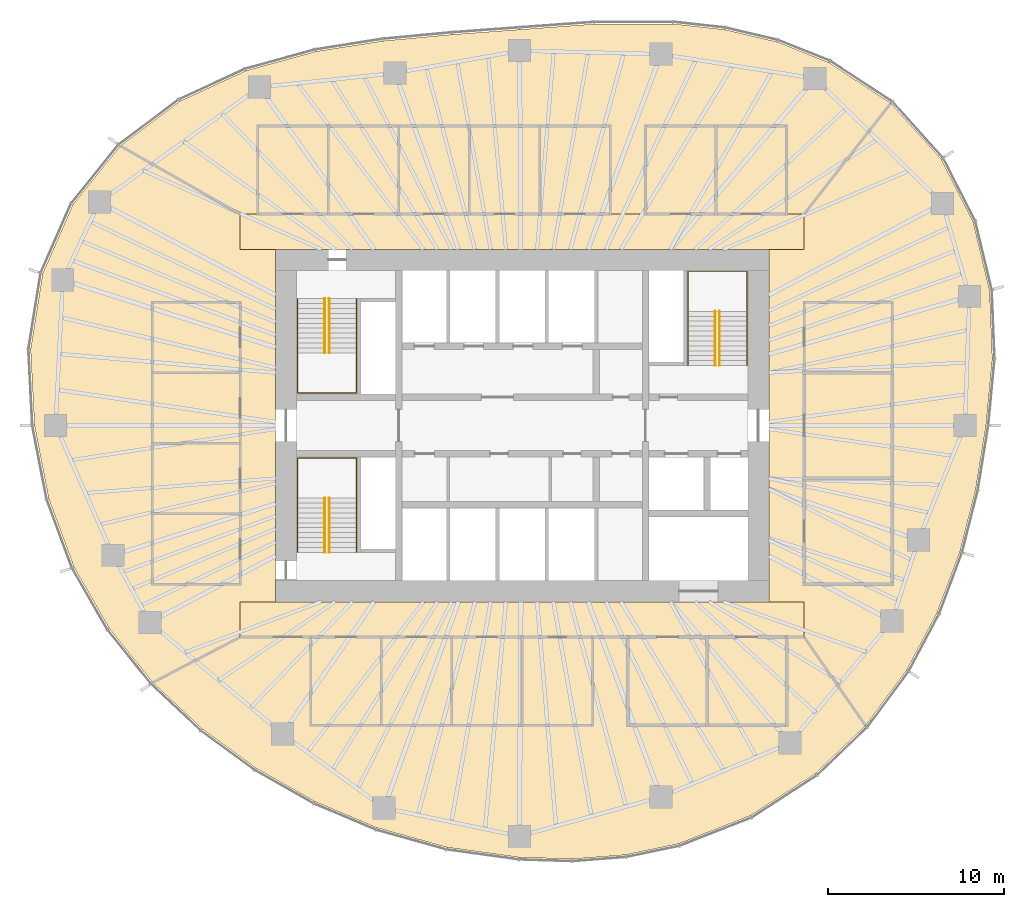
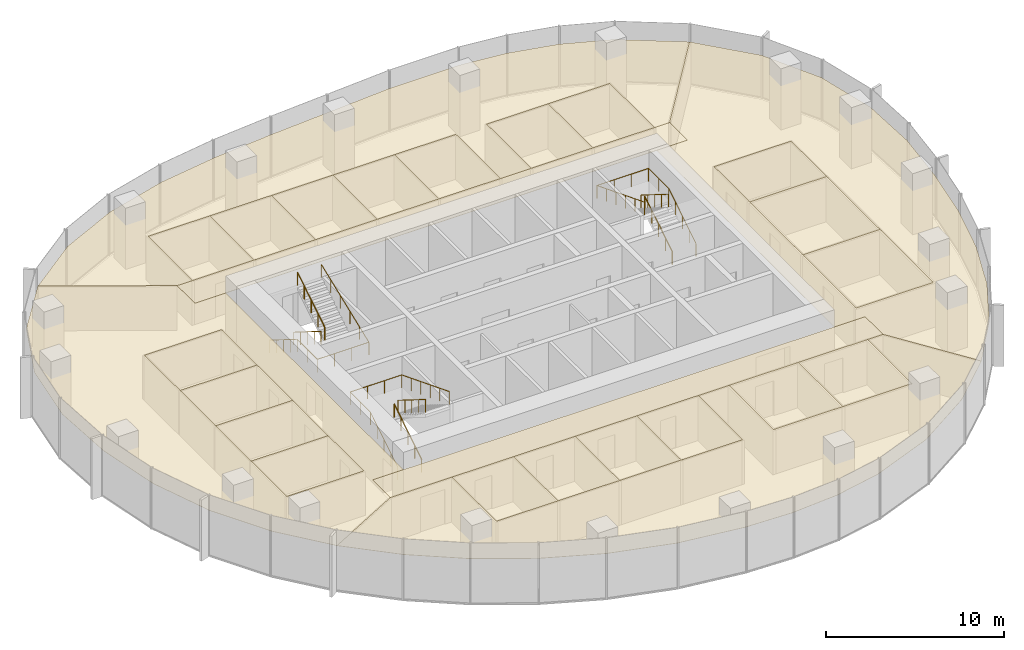
# One storey, part 12 of 12: 26 coverings, 9 railings.
"""IFC4 building model written with IfcOpenShell, lengths in metres."""

from ifc_helpers import new_model, si_unit, direction, frame, origin, origin_2d, place, context, subcontext, project, spatial, polyline, circle, outline, extrude, material, layer, layer_set, type_object, element, save


model = new_model("IFC4")

# Units and contexts
model_context = context("Model", 3, precision=1e-05, world=origin(), true_north=direction((0.0, 1.0)))
body_context = subcontext(model_context, "Body", "Model", "MODEL_VIEW")
ifc_project = project(units=[si_unit("LENGTHUNIT", "METRE"), si_unit("AREAUNIT", "SQUARE_METRE"), si_unit("VOLUMEUNIT", "CUBIC_METRE"), si_unit("PLANEANGLEUNIT", "RADIAN"), si_unit("MASSUNIT", "GRAM", prefix="KILO")], contexts=[model_context])

# Site, building, storey
site_placement = place(None, origin())
site = spatial("IfcSite", under=ifc_project, at=site_placement, CompositionType="ELEMENT")
building_placement = place(site_placement, origin())
building = spatial("IfcBuilding", under=site, at=building_placement, Name="Ghaith Harvest Tower", CompositionType="ELEMENT")
storey_placement = place(building_placement, frame((0.0, 0.0, 203.199951171875)))
storey = spatial("IfcBuildingStorey", under=building, at=storey_placement, Name="L44", CompositionType="ELEMENT", Elevation=203.199951171875)

# Coverings
ifc_material_1 = material(Name="Mineral fibre ceiling tile", Category="gypsum")
ifc_layer = layer(ifc_material_1, 0.02001953125)
ifc_layer_set = layer_set([ifc_layer], Name="CEILING C1")
covering_type = type_object("IfcCoveringType", Name="CEILING C1", PredefinedType="CEILING", material=ifc_layer_set)
covering_1_placement = place(storey_placement, frame((0.0, 0.0, 3.0)))
element("IfcCovering", 1, at=covering_1_placement, inside=storey, type_object=covering_type, Name="Ceiling L44-01", PredefinedType="CEILING", context=body_context, shape_type="SweptSolid", body=[
    extrude(outline(polyline([(-15.0, 12.0), (-11.0, 12.0), (-11.0, 17.0), (-15.0, 17.0), (-15.0, 12.0)])), origin(), (0.0, 0.0, 1.0), 0.02001953125),
])
covering_2_placement = place(storey_placement, frame((0.0, 0.0, 3.0)))
element("IfcCovering", 2, at=covering_2_placement, inside=storey, type_object=covering_type, Name="Ceiling L44-02", PredefinedType="CEILING", context=body_context, shape_type="SweptSolid", body=[
    extrude(outline(polyline([(-11.0, 12.0), (-7.0, 12.0), (-7.0, 17.0), (-11.0, 17.0), (-11.0, 12.0)])), origin(), (0.0, 0.0, 1.0), 0.02001953125),
])
covering_3_placement = place(storey_placement, frame((0.0, 0.0, 3.0)))
element("IfcCovering", 3, at=covering_3_placement, inside=storey, type_object=covering_type, Name="Ceiling L44-03", PredefinedType="CEILING", context=body_context, shape_type="SweptSolid", body=[
    extrude(outline(polyline([(-7.0, 12.0), (-3.0, 12.0), (-3.0, 17.0), (-7.0, 17.0), (-7.0, 12.0)])), origin(), (0.0, 0.0, 1.0), 0.02001953125),
])
covering_4_placement = place(storey_placement, frame((0.0, 0.0, 3.0)))
element("IfcCovering", 4, at=covering_4_placement, inside=storey, type_object=covering_type, Name="Ceiling L44-04", PredefinedType="CEILING", context=body_context, shape_type="SweptSolid", body=[
    extrude(outline(polyline([(-3.0, 12.0), (1.0, 12.0), (1.0, 17.0), (-3.0, 17.0), (-3.0, 12.0)])), origin(), (0.0, 0.0, 1.0), 0.02001953125),
])
covering_5_placement = place(storey_placement, frame((0.0, 0.0, 3.0)))
element("IfcCovering", 5, at=covering_5_placement, inside=storey, type_object=covering_type, Name="Ceiling L44-05", PredefinedType="CEILING", context=body_context, shape_type="SweptSolid", body=[
    extrude(outline(polyline([(1.0, 12.0), (5.0, 12.0), (5.0, 17.0), (1.0, 17.0), (1.0, 12.0)])), origin(), (0.0, 0.0, 1.0), 0.02001953125),
])
covering_6_placement = place(storey_placement, frame((0.0, 0.0, 3.0)))
element("IfcCovering", 6, at=covering_6_placement, inside=storey, type_object=covering_type, Name="Ceiling L44-06", PredefinedType="CEILING", context=body_context, shape_type="SweptSolid", body=[
    extrude(outline(polyline([(7.0, 12.0), (11.0, 12.0), (11.0, 17.0), (7.0, 17.0), (7.0, 12.0)])), origin(), (0.0, 0.0, 1.0), 0.02001953125),
])
covering_7_placement = place(storey_placement, frame((0.0, 0.0, 3.0)))
element("IfcCovering", 7, at=covering_7_placement, inside=storey, type_object=covering_type, Name="Ceiling L44-07", PredefinedType="CEILING", context=body_context, shape_type="SweptSolid", body=[
    extrude(outline(polyline([(11.0, 12.0), (15.0, 12.0), (15.0, 17.0), (11.0, 17.0), (11.0, 12.0)])), origin(), (0.0, 0.0, 1.0), 0.02001953125),
])
covering_8_placement = place(storey_placement, frame((0.0, 0.0, 3.0)))
element("IfcCovering", 8, at=covering_8_placement, inside=storey, type_object=covering_type, Name="Ceiling L44-08", PredefinedType="CEILING", context=body_context, shape_type="SweptSolid", body=[
    extrude(outline(polyline([(16.0, -9.0), (21.0, -9.0), (21.0, -3.0), (16.0, -3.0), (16.0, -9.0)])), origin(), (0.0, 0.0, 1.0), 0.02001953125),
])
covering_9_placement = place(storey_placement, frame((0.0, 0.0, 3.0)))
element("IfcCovering", 9, at=covering_9_placement, inside=storey, type_object=covering_type, Name="Ceiling L44-09", PredefinedType="CEILING", context=body_context, shape_type="SweptSolid", body=[
    extrude(outline(polyline([(16.0, -3.0), (21.0, -3.0), (21.0, 3.0), (16.0, 3.0), (16.0, -3.0)])), origin(), (0.0, 0.0, 1.0), 0.02001953125),
])
covering_10_placement = place(storey_placement, frame((0.0, 0.0, 3.0)))
element("IfcCovering", 10, at=covering_10_placement, inside=storey, type_object=covering_type, Name="Ceiling L44-10", PredefinedType="CEILING", context=body_context, shape_type="SweptSolid", body=[
    extrude(outline(polyline([(16.0, 3.0), (21.0, 3.0), (21.0, 7.0), (16.0, 7.0), (16.0, 3.0)])), origin(), (0.0, 0.0, 1.0), 0.02001953125),
])
covering_11_placement = place(storey_placement, frame((0.0, 0.0, 3.0)))
element("IfcCovering", 11, at=covering_11_placement, inside=storey, type_object=covering_type, Name="Ceiling L44-11", PredefinedType="CEILING", context=body_context, shape_type="SweptSolid", body=[
    extrude(outline(polyline([(-12.0, -17.0), (-8.0, -17.0), (-8.0, -12.0), (-12.0, -12.0), (-12.0, -17.0)])), origin(), (0.0, 0.0, 1.0), 0.02001953125),
])
covering_12_placement = place(storey_placement, frame((0.0, 0.0, 3.0)))
element("IfcCovering", 12, at=covering_12_placement, inside=storey, type_object=covering_type, Name="Ceiling L44-12", PredefinedType="CEILING", context=body_context, shape_type="SweptSolid", body=[
    extrude(outline(polyline([(-8.0, -17.0), (-4.0, -17.0), (-4.0, -12.0), (-8.0, -12.0), (-8.0, -17.0)])), origin(), (0.0, 0.0, 1.0), 0.02001953125),
])
covering_13_placement = place(storey_placement, frame((0.0, 0.0, 3.0)))
element("IfcCovering", 13, at=covering_13_placement, inside=storey, type_object=covering_type, Name="Ceiling L44-13", PredefinedType="CEILING", context=body_context, shape_type="SweptSolid", body=[
    extrude(outline(polyline([(-4.0, -17.0), (0.0, -17.0), (0.0, -12.0), (-4.0, -12.0), (-4.0, -17.0)])), origin(), (0.0, 0.0, 1.0), 0.02001953125),
])
covering_14_placement = place(storey_placement, frame((0.0, 0.0, 3.0)))
element("IfcCovering", 14, at=covering_14_placement, inside=storey, type_object=covering_type, Name="Ceiling L44-14", PredefinedType="CEILING", context=body_context, shape_type="SweptSolid", body=[
    extrude(outline(polyline([(0.0, -17.0), (4.0, -17.0), (4.0, -12.0), (0.0, -12.0), (0.0, -17.0)])), origin(), (0.0, 0.0, 1.0), 0.02001953125),
])
covering_15_placement = place(storey_placement, frame((0.0, 0.0, 3.0)))
element("IfcCovering", 15, at=covering_15_placement, inside=storey, type_object=covering_type, Name="Ceiling L44-15", PredefinedType="CEILING", context=body_context, shape_type="SweptSolid", body=[
    extrude(outline(polyline([(6.0, -17.0), (10.5, -17.0), (10.5, -12.0), (6.0, -12.0), (6.0, -17.0)])), origin(), (0.0, 0.0, 1.0), 0.02001953125),
])
covering_16_placement = place(storey_placement, frame((0.0, 0.0, 3.0)))
element("IfcCovering", 16, at=covering_16_placement, inside=storey, type_object=covering_type, Name="Ceiling L44-16", PredefinedType="CEILING", context=body_context, shape_type="SweptSolid", body=[
    extrude(outline(polyline([(10.5, -17.0), (15.0, -17.0), (15.0, -12.0), (10.5, -12.0), (10.5, -17.0)])), origin(), (0.0, 0.0, 1.0), 0.02001953125),
])
covering_17_placement = place(storey_placement, frame((0.0, 0.0, 3.0)))
element("IfcCovering", 17, at=covering_17_placement, inside=storey, type_object=covering_type, Name="Ceiling L44-17", PredefinedType="CEILING", context=body_context, shape_type="SweptSolid", body=[
    extrude(outline(polyline([(-21.0, -9.0), (-16.0, -9.0), (-16.0, -5.0), (-21.0, -5.0), (-21.0, -9.0)])), origin(), (0.0, 0.0, 1.0), 0.02001953125),
])
covering_18_placement = place(storey_placement, frame((0.0, 0.0, 3.0)))
element("IfcCovering", 18, at=covering_18_placement, inside=storey, type_object=covering_type, Name="Ceiling L44-18", PredefinedType="CEILING", context=body_context, shape_type="SweptSolid", body=[
    extrude(outline(polyline([(-21.0, -5.0), (-16.0, -5.0), (-16.0, -1.0), (-21.0, -1.0), (-21.0, -5.0)])), origin(), (0.0, 0.0, 1.0), 0.02001953125),
])
covering_19_placement = place(storey_placement, frame((0.0, 0.0, 3.0)))
element("IfcCovering", 19, at=covering_19_placement, inside=storey, type_object=covering_type, Name="Ceiling L44-19", PredefinedType="CEILING", context=body_context, shape_type="SweptSolid", body=[
    extrude(outline(polyline([(-21.0, -1.0), (-16.0, -1.0), (-16.0, 3.0), (-21.0, 3.0), (-21.0, -1.0)])), origin(), (0.0, 0.0, 1.0), 0.02001953125),
])
covering_20_placement = place(storey_placement, frame((0.0, 0.0, 3.0)))
element("IfcCovering", 20, at=covering_20_placement, inside=storey, type_object=covering_type, Name="Ceiling L44-20", PredefinedType="CEILING", context=body_context, shape_type="SweptSolid", body=[
    extrude(outline(polyline([(-21.0, 3.0), (-16.0, 3.0), (-16.0, 7.0), (-21.0, 7.0), (-21.0, 3.0)])), origin(), (0.0, 0.0, 1.0), 0.02001953125),
])
covering_21_placement = place(storey_placement, frame((0.0, 0.0, 3.0)))
element("IfcCovering", 21, at=covering_21_placement, inside=storey, type_object=covering_type, Name="Ceiling L44-C1", PredefinedType="CEILING", context=body_context, shape_type="SweptSolid", body=[
    extrude(outline(polyline([(16.0, 10.0), (-16.0, 10.0), (-16.0, 12.0), (16.0, 12.0), (16.0, 10.0)])), origin(), (0.0, 0.0, 1.0), 0.02001953125),
])
covering_22_placement = place(storey_placement, frame((0.0, 0.0, 3.0)))
element("IfcCovering", 22, at=covering_22_placement, inside=storey, type_object=covering_type, Name="Ceiling L44-C2", PredefinedType="CEILING", context=body_context, shape_type="SweptSolid", body=[
    extrude(outline(polyline([(-16.0, -10.0), (16.0, -10.0), (16.0, -12.0), (-16.0, -12.0), (-16.0, -10.0)])), origin(), (0.0, 0.0, 1.0), 0.02001953125),
])
covering_23_placement = place(storey_placement, frame((0.0, 0.0, 3.0)))
element("IfcCovering", 23, at=covering_23_placement, inside=storey, type_object=covering_type, Name="Ceiling L44-N1", PredefinedType="CEILING", context=body_context, shape_type="SweptSolid", body=[
    extrude(outline(polyline([(-19.408203125, 18.41650390625), (-15.6474609375, 20.147705078125), (-11.694580078125, 21.2314453125), (-7.8837890625, 21.827880859375), (-3.963134765625, 22.192138671875), (-0.15380859375, 22.470458984375), (4.03857421875, 22.78125), (8.522216796875, 22.796875), (11.47265625, 22.47265625), (14.460693359375, 21.771484375), (17.382080078125, 20.612548828125), (20.923095703125, 18.295166015625), (16.0, 12.0), (15.0, 12.0), (15.0, 17.0), (7.0, 17.0), (7.0, 12.0), (5.0, 12.0), (5.0, 17.0), (-15.0, 17.0), (-15.0, 12.0), (-16.0, 12.0), (-22.809814453125, 15.87109375), (-19.408203125, 18.41650390625)])), origin(), (0.0, 0.0, 1.0), 0.02001953125),
])
covering_24_placement = place(storey_placement, frame((0.0, 0.0, 3.0)))
element("IfcCovering", 24, at=covering_24_placement, inside=storey, type_object=covering_type, Name="Ceiling L44-E1", PredefinedType="CEILING", context=body_context, shape_type="SweptSolid", body=[
    extrude(outline(polyline([(23.77294921875, 15.12939453125), (25.597900390625, 11.55615234375), (26.531005859375, 7.668212890625), (26.685791015625, 3.779052734375), (26.324951171875, 0.0), (25.734375, -3.644287109375), (24.840576171875, -7.179443359375), (23.548828125, -10.631103515625), (21.821533203125, -13.887451171875), (19.48388671875, -17.036865234375), (16.0, -12.0), (16.0, -10.0), (14.0, -10.0), (14.0, 10.0), (16.0, 10.0), (16.0, 12.0), (20.923095703125, 18.295166015625), (23.77294921875, 15.12939453125)]), holes=[polyline([(16.0, 7.0), (16.0, -9.0), (21.0, -9.0), (21.0, 7.0), (16.0, 7.0)])]), origin(), (0.0, 0.0, 1.0), 0.02001953125),
])
covering_25_placement = place(storey_placement, frame((0.0, 0.0, 3.0)))
element("IfcCovering", 25, at=covering_25_placement, inside=storey, type_object=covering_type, Name="Ceiling L44-S1", PredefinedType="CEILING", context=body_context, shape_type="SweptSolid", body=[
    extrude(outline(polyline([(16.651611328125, -19.746337890625), (12.949462890625, -22.1435546875), (8.8740234375, -23.73779296875), (5.865234375, -24.3662109375), (2.833984375, -24.602294921875), (-0.167724609375, -24.505126953125), (-4.27490234375, -23.9375), (-8.2451171875, -22.82861328125), (-11.75732421875, -21.345703125), (-15.10400390625, -19.447998046875), (-18.15087890625, -17.223388671875), (-20.963134765625, -14.586181640625), (-16.0, -12.0), (-12.0, -12.0), (-12.0, -17.0), (4.0, -17.0), (4.0, -12.0), (6.0, -12.0), (6.0, -17.0), (15.0, -17.0), (15.0, -12.0), (16.0, -12.0), (19.48388671875, -17.036865234375), (16.651611328125, -19.746337890625)])), origin(), (0.0, 0.0, 1.0), 0.02001953125),
])
covering_26_placement = place(storey_placement, frame((0.0, 0.0, 3.0)))
element("IfcCovering", 26, at=covering_26_placement, inside=storey, type_object=covering_type, Name="Ceiling L44-W1", PredefinedType="CEILING", context=body_context, shape_type="SweptSolid", body=[
    extrude(outline(polyline([(-27.211181640625, 8.623779296875), (-25.491943359375, 12.547607421875), (-22.809814453125, 15.87109375), (-16.0, 12.0), (-16.0, 10.0), (-14.0, 10.0), (-14.0, -10.0), (-16.0, -10.0), (-16.0, -12.0), (-20.963134765625, -14.586181640625), (-23.425537109375, -11.530517578125), (-25.424072265625, -8.057373046875), (-26.86669921875, -4.155517578125), (-27.675048828125, 0.0), (-27.897216796875, 4.314697265625), (-27.211181640625, 8.623779296875)]), holes=[polyline([(-21.0, 7.0), (-21.0, -9.0), (-16.0, -9.0), (-16.0, 7.0), (-21.0, 7.0)])]), origin(), (0.0, 0.0, 1.0), 0.02001953125),
])

# Railings
ifc_material_2 = material(Name="Steel, black powder-coated", Category="steel")
railing_type = type_object("IfcRailingType", Name="HANDRAIL HR1", PredefinedType="HANDRAIL", material=ifc_material_2)
railing_1_placement = place(storey_placement, frame((-11.199951171875, 7.199951171875, 0.175048828125)))
element("IfcRailing", 27, at=railing_1_placement, inside=storey, type_object=railing_type, Name="Handrail HR1 stair ST1 L44 flight 1 inner", PredefinedType="HANDRAIL", context=body_context, shape_type="SweptSolid", body=[
    extrude(circle(Radius=0.02392578125, at=origin_2d()), frame((0.0, 0.0, 0.8759765625), z_axis=(0.0, -0.847979421464, 0.530029150871), x_axis=(1.0, 0.0, 0.0)), (0.0, 0.0, 1.0), 3.632080078125),
    extrude(circle(Radius=0.02099609375, at=origin_2d()), origin(), (0.0, 0.0, 1.0), 0.851806640625),
    extrude(circle(Radius=0.02099609375, at=origin_2d()), frame((0.0, -0.77001953125, 0.481201171875)), (0.0, 0.0, 1.0), 0.851806640625),
    extrude(circle(Radius=0.02099609375, at=origin_2d()), frame((0.0, -1.5400390625, 0.96240234375)), (0.0, 0.0, 1.0), 0.851806640625),
    extrude(circle(Radius=0.02099609375, at=origin_2d()), frame((0.0, -2.309814453125, 1.44384765625)), (0.0, 0.0, 1.0), 0.851806640625),
    extrude(circle(Radius=0.02099609375, at=origin_2d()), frame((0.0, -3.079833984375, 1.925048828125)), (0.0, 0.0, 1.0), 0.851806640625),
])
railing_2_placement = place(storey_placement, frame((-10.949951171875, 4.1201171875, 2.275146484375)))
element("IfcRailing", 28, at=railing_2_placement, inside=storey, type_object=railing_type, Name="Handrail HR1 stair ST1 L44 flight 2 inner", PredefinedType="HANDRAIL", context=body_context, shape_type="SweptSolid", body=[
    extrude(circle(Radius=0.02392578125, at=origin_2d()), frame((0.0, 0.0, 0.8759765625), z_axis=(0.0, 0.848009633417, 0.529980812513), x_axis=(-1.0, 0.0, 0.0)), (0.0, 0.0, 1.0), 3.6318359375),
    extrude(circle(Radius=0.02099609375, at=origin_2d()), origin(), (0.0, 0.0, 1.0), 0.851806640625),
    extrude(circle(Radius=0.02099609375, at=origin_2d()), frame((0.0, 0.77001953125, 0.481201171875)), (0.0, 0.0, 1.0), 0.851806640625),
    extrude(circle(Radius=0.02099609375, at=origin_2d()), frame((0.0, 1.5400390625, 0.96240234375)), (0.0, 0.0, 1.0), 0.851806640625),
    extrude(circle(Radius=0.02099609375, at=origin_2d()), frame((0.0, 2.309814453125, 1.443603515625)), (0.0, 0.0, 1.0), 0.851806640625),
    extrude(circle(Radius=0.02099609375, at=origin_2d()), frame((0.0, 3.079833984375, 1.9248046875)), (0.0, 0.0, 1.0), 0.851806640625),
])
railing_3_placement = place(storey_placement, frame((-12.75, 7.199951171875, 0.175048828125)))
element("IfcRailing", 29, at=railing_3_placement, inside=storey, type_object=railing_type, Name="Handrail HR1 stair ST1 L44 wall side", PredefinedType="HANDRAIL", context=body_context, shape_type="SweptSolid", body=[
    extrude(circle(Radius=0.02392578125, at=origin_2d()), frame((0.0, 0.0, 0.8759765625), z_axis=(0.0, -0.847979421464, 0.530029150871), x_axis=(1.0, 0.0, 0.0)), (0.0, 0.0, 1.0), 3.632080078125),
    extrude(circle(Radius=0.02392578125, at=origin_2d()), frame((0.0, -3.079833984375, 2.80078125), z_axis=(0.0, -1.0, 0.0), x_axis=(1.0, 0.0, 0.0)), (0.0, 0.0, 1.0), 2.27001953125),
    extrude(circle(Radius=0.02392578125, at=origin_2d()), frame((0.0, -5.349853515625, 2.80078125), z_axis=(1.0, 0.0, 0.0), x_axis=(0.0, 1.0, 0.0)), (0.0, 0.0, 1.0), 3.35009765625),
    extrude(circle(Radius=0.02392578125, at=origin_2d()), frame((3.35009765625, -5.349853515625, 2.80078125), z_axis=(0.0, 0.930862461605, 0.365369781968), x_axis=(-1.0, 0.0, 0.0)), (0.0, 0.0, 1.0), 5.747314453125),
    extrude(circle(Radius=0.02099609375, at=origin_2d()), origin(), (0.0, 0.0, 1.0), 0.851806640625),
    extrude(circle(Radius=0.02099609375, at=origin_2d()), frame((0.0, -0.77001953125, 0.481201171875)), (0.0, 0.0, 1.0), 0.851806640625),
    extrude(circle(Radius=0.02099609375, at=origin_2d()), frame((0.0, -1.5400390625, 0.96240234375)), (0.0, 0.0, 1.0), 0.851806640625),
    extrude(circle(Radius=0.02099609375, at=origin_2d()), frame((0.0, -2.309814453125, 1.44384765625)), (0.0, 0.0, 1.0), 0.851806640625),
    extrude(circle(Radius=0.02099609375, at=origin_2d()), frame((0.0, -3.079833984375, 1.925048828125)), (0.0, 0.0, 1.0), 0.851806640625),
    extrude(circle(Radius=0.02099609375, at=origin_2d()), frame((0.0, -4.21484375, 1.925048828125)), (0.0, 0.0, 1.0), 0.851806640625),
    extrude(circle(Radius=0.02099609375, at=origin_2d()), frame((0.0, -5.349853515625, 1.925048828125)), (0.0, 0.0, 1.0), 0.851806640625),
    extrude(circle(Radius=0.02099609375, at=origin_2d()), frame((1.11669921875, -5.349853515625, 1.925048828125)), (0.0, 0.0, 1.0), 0.851806640625),
    extrude(circle(Radius=0.02099609375, at=origin_2d()), frame((2.2333984375, -5.349853515625, 1.925048828125)), (0.0, 0.0, 1.0), 0.851806640625),
    extrude(circle(Radius=0.02099609375, at=origin_2d()), frame((3.35009765625, -5.349853515625, 1.925048828125)), (0.0, 0.0, 1.0), 0.851806640625),
    extrude(circle(Radius=0.02099609375, at=origin_2d()), frame((3.35009765625, -4.27978515625, 2.344970703125)), (0.0, 0.0, 1.0), 0.851806640625),
    extrude(circle(Radius=0.02099609375, at=origin_2d()), frame((3.35009765625, -3.2099609375, 2.764892578125)), (0.0, 0.0, 1.0), 0.851806640625),
    extrude(circle(Radius=0.02099609375, at=origin_2d()), frame((3.35009765625, -2.139892578125, 3.18505859375)), (0.0, 0.0, 1.0), 0.851806640625),
    extrude(circle(Radius=0.02099609375, at=origin_2d()), frame((3.35009765625, -1.070068359375, 3.60498046875)), (0.0, 0.0, 1.0), 0.851806640625),
    extrude(circle(Radius=0.02099609375, at=origin_2d()), frame((3.35009765625, 0.0, 4.02490234375)), (0.0, 0.0, 1.0), 0.851806640625),
])
railing_4_placement = place(storey_placement, frame((-11.199951171875, -7.199951171875, 0.175048828125)))
element("IfcRailing", 30, at=railing_4_placement, inside=storey, type_object=railing_type, Name="Handrail HR1 stair ST3 L44 flight 1 inner", PredefinedType="HANDRAIL", context=body_context, shape_type="SweptSolid", body=[
    extrude(circle(Radius=0.02392578125, at=origin_2d()), frame((0.0, 0.0, 0.8759765625), z_axis=(0.0, 0.847979421464, 0.530029150871), x_axis=(-1.0, 0.0, 0.0)), (0.0, 0.0, 1.0), 3.632080078125),
    extrude(circle(Radius=0.02099609375, at=origin_2d()), origin(), (0.0, 0.0, 1.0), 0.851806640625),
    extrude(circle(Radius=0.02099609375, at=origin_2d()), frame((0.0, 0.77001953125, 0.481201171875)), (0.0, 0.0, 1.0), 0.851806640625),
    extrude(circle(Radius=0.02099609375, at=origin_2d()), frame((0.0, 1.5400390625, 0.96240234375)), (0.0, 0.0, 1.0), 0.851806640625),
    extrude(circle(Radius=0.02099609375, at=origin_2d()), frame((0.0, 2.309814453125, 1.44384765625)), (0.0, 0.0, 1.0), 0.851806640625),
    extrude(circle(Radius=0.02099609375, at=origin_2d()), frame((0.0, 3.079833984375, 1.925048828125)), (0.0, 0.0, 1.0), 0.851806640625),
])
railing_5_placement = place(storey_placement, frame((-10.949951171875, -4.1201171875, 2.275146484375)))
element("IfcRailing", 31, at=railing_5_placement, inside=storey, type_object=railing_type, Name="Handrail HR1 stair ST3 L44 flight 2 inner", PredefinedType="HANDRAIL", context=body_context, shape_type="SweptSolid", body=[
    extrude(circle(Radius=0.02392578125, at=origin_2d()), frame((0.0, 0.0, 0.8759765625), z_axis=(0.0, -0.848009633417, 0.529980812513), x_axis=(1.0, 0.0, 0.0)), (0.0, 0.0, 1.0), 3.6318359375),
    extrude(circle(Radius=0.02099609375, at=origin_2d()), origin(), (0.0, 0.0, 1.0), 0.851806640625),
    extrude(circle(Radius=0.02099609375, at=origin_2d()), frame((0.0, -0.77001953125, 0.481201171875)), (0.0, 0.0, 1.0), 0.851806640625),
    extrude(circle(Radius=0.02099609375, at=origin_2d()), frame((0.0, -1.5400390625, 0.96240234375)), (0.0, 0.0, 1.0), 0.851806640625),
    extrude(circle(Radius=0.02099609375, at=origin_2d()), frame((0.0, -2.309814453125, 1.443603515625)), (0.0, 0.0, 1.0), 0.851806640625),
    extrude(circle(Radius=0.02099609375, at=origin_2d()), frame((0.0, -3.079833984375, 1.9248046875)), (0.0, 0.0, 1.0), 0.851806640625),
])
railing_6_placement = place(storey_placement, frame((-12.75, -7.199951171875, 0.175048828125)))
element("IfcRailing", 32, at=railing_6_placement, inside=storey, type_object=railing_type, Name="Handrail HR1 stair ST3 L44 wall side", PredefinedType="HANDRAIL", context=body_context, shape_type="SweptSolid", body=[
    extrude(circle(Radius=0.02392578125, at=origin_2d()), frame((0.0, 0.0, 0.8759765625), z_axis=(0.0, 0.847979421464, 0.530029150871), x_axis=(-1.0, 0.0, 0.0)), (0.0, 0.0, 1.0), 3.632080078125),
    extrude(circle(Radius=0.02392578125, at=origin_2d()), frame((0.0, 3.079833984375, 2.80078125), z_axis=(0.0, 1.0, 0.0), x_axis=(-1.0, 0.0, 0.0)), (0.0, 0.0, 1.0), 2.27001953125),
    extrude(circle(Radius=0.02392578125, at=origin_2d()), frame((0.0, 5.349853515625, 2.80078125), z_axis=(1.0, 0.0, 0.0), x_axis=(0.0, 1.0, 0.0)), (0.0, 0.0, 1.0), 3.35009765625),
    extrude(circle(Radius=0.02392578125, at=origin_2d()), frame((3.35009765625, 5.349853515625, 2.80078125), z_axis=(0.0, -0.930862461605, 0.365369781968), x_axis=(1.0, 0.0, 0.0)), (0.0, 0.0, 1.0), 5.747314453125),
    extrude(circle(Radius=0.02099609375, at=origin_2d()), origin(), (0.0, 0.0, 1.0), 0.851806640625),
    extrude(circle(Radius=0.02099609375, at=origin_2d()), frame((0.0, 0.77001953125, 0.481201171875)), (0.0, 0.0, 1.0), 0.851806640625),
    extrude(circle(Radius=0.02099609375, at=origin_2d()), frame((0.0, 1.5400390625, 0.96240234375)), (0.0, 0.0, 1.0), 0.851806640625),
    extrude(circle(Radius=0.02099609375, at=origin_2d()), frame((0.0, 2.309814453125, 1.44384765625)), (0.0, 0.0, 1.0), 0.851806640625),
    extrude(circle(Radius=0.02099609375, at=origin_2d()), frame((0.0, 3.079833984375, 1.925048828125)), (0.0, 0.0, 1.0), 0.851806640625),
    extrude(circle(Radius=0.02099609375, at=origin_2d()), frame((0.0, 4.21484375, 1.925048828125)), (0.0, 0.0, 1.0), 0.851806640625),
    extrude(circle(Radius=0.02099609375, at=origin_2d()), frame((0.0, 5.349853515625, 1.925048828125)), (0.0, 0.0, 1.0), 0.851806640625),
    extrude(circle(Radius=0.02099609375, at=origin_2d()), frame((1.11669921875, 5.349853515625, 1.925048828125)), (0.0, 0.0, 1.0), 0.851806640625),
    extrude(circle(Radius=0.02099609375, at=origin_2d()), frame((2.2333984375, 5.349853515625, 1.925048828125)), (0.0, 0.0, 1.0), 0.851806640625),
    extrude(circle(Radius=0.02099609375, at=origin_2d()), frame((3.35009765625, 5.349853515625, 1.925048828125)), (0.0, 0.0, 1.0), 0.851806640625),
    extrude(circle(Radius=0.02099609375, at=origin_2d()), frame((3.35009765625, 4.27978515625, 2.344970703125)), (0.0, 0.0, 1.0), 0.851806640625),
    extrude(circle(Radius=0.02099609375, at=origin_2d()), frame((3.35009765625, 3.2099609375, 2.764892578125)), (0.0, 0.0, 1.0), 0.851806640625),
    extrude(circle(Radius=0.02099609375, at=origin_2d()), frame((3.35009765625, 2.139892578125, 3.18505859375)), (0.0, 0.0, 1.0), 0.851806640625),
    extrude(circle(Radius=0.02099609375, at=origin_2d()), frame((3.35009765625, 1.070068359375, 3.60498046875)), (0.0, 0.0, 1.0), 0.851806640625),
    extrude(circle(Radius=0.02099609375, at=origin_2d()), frame((3.35009765625, 0.0, 4.02490234375)), (0.0, 0.0, 1.0), 0.851806640625),
])
railing_7_placement = place(storey_placement, frame((11.199951171875, 3.39990234375, 0.175048828125)))
element("IfcRailing", 33, at=railing_7_placement, inside=storey, type_object=railing_type, Name="Handrail HR1 stair ST2 L44 flight 1 inner", PredefinedType="HANDRAIL", context=body_context, shape_type="SweptSolid", body=[
    extrude(circle(Radius=0.02392578125, at=origin_2d()), frame((0.0, 0.0, 0.8759765625), z_axis=(0.0, 0.847998304005, 0.529998940003), x_axis=(-1.0, 0.0, 0.0)), (0.0, 0.0, 1.0), 3.632080078125),
    extrude(circle(Radius=0.02099609375, at=origin_2d()), origin(), (0.0, 0.0, 1.0), 0.851806640625),
    extrude(circle(Radius=0.02099609375, at=origin_2d()), frame((0.0, 0.77001953125, 0.481201171875)), (0.0, 0.0, 1.0), 0.851806640625),
    extrude(circle(Radius=0.02099609375, at=origin_2d()), frame((0.0, 1.5400390625, 0.96240234375)), (0.0, 0.0, 1.0), 0.851806640625),
    extrude(circle(Radius=0.02099609375, at=origin_2d()), frame((0.0, 2.31005859375, 1.44384765625)), (0.0, 0.0, 1.0), 0.851806640625),
    extrude(circle(Radius=0.02099609375, at=origin_2d()), frame((0.0, 3.080078125, 1.925048828125)), (0.0, 0.0, 1.0), 0.851806640625),
])
railing_8_placement = place(storey_placement, frame((10.949951171875, 6.47998046875, 2.275146484375)))
element("IfcRailing", 34, at=railing_8_placement, inside=storey, type_object=railing_type, Name="Handrail HR1 stair ST2 L44 flight 2 inner", PredefinedType="HANDRAIL", context=body_context, shape_type="SweptSolid", body=[
    extrude(circle(Radius=0.02392578125, at=origin_2d()), frame((0.0, 0.0, 0.8759765625), z_axis=(0.0, -0.848028513186, 0.529950602248), x_axis=(1.0, 0.0, 0.0)), (0.0, 0.0, 1.0), 3.632080078125),
    extrude(circle(Radius=0.02099609375, at=origin_2d()), origin(), (0.0, 0.0, 1.0), 0.851806640625),
    extrude(circle(Radius=0.02099609375, at=origin_2d()), frame((0.0, -0.77001953125, 0.481201171875)), (0.0, 0.0, 1.0), 0.851806640625),
    extrude(circle(Radius=0.02099609375, at=origin_2d()), frame((0.0, -1.5400390625, 0.96240234375)), (0.0, 0.0, 1.0), 0.851806640625),
    extrude(circle(Radius=0.02099609375, at=origin_2d()), frame((0.0, -2.31005859375, 1.443603515625)), (0.0, 0.0, 1.0), 0.851806640625),
    extrude(circle(Radius=0.02099609375, at=origin_2d()), frame((0.0, -3.080078125, 1.9248046875)), (0.0, 0.0, 1.0), 0.851806640625),
])
railing_9_placement = place(storey_placement, frame((12.75, 3.39990234375, 0.175048828125)))
element("IfcRailing", 35, at=railing_9_placement, inside=storey, type_object=railing_type, Name="Handrail HR1 stair ST2 L44 wall side", PredefinedType="HANDRAIL", context=body_context, shape_type="SweptSolid", body=[
    extrude(circle(Radius=0.02392578125, at=origin_2d()), frame((0.0, 0.0, 0.8759765625), z_axis=(0.0, 0.847998304005, 0.529998940003), x_axis=(-1.0, 0.0, 0.0)), (0.0, 0.0, 1.0), 3.632080078125),
    extrude(circle(Radius=0.02392578125, at=origin_2d()), frame((0.0, 3.080078125, 2.80078125), z_axis=(0.0, 1.0, 0.0), x_axis=(-1.0, 0.0, 0.0)), (0.0, 0.0, 1.0), 2.27001953125),
    extrude(circle(Radius=0.02392578125, at=origin_2d()), frame((0.0, 5.35009765625, 2.80078125), z_axis=(-1.0, 0.0, 0.0), x_axis=(0.0, -1.0, 0.0)), (0.0, 0.0, 1.0), 3.35009765625),
    extrude(circle(Radius=0.02392578125, at=origin_2d()), frame((-3.35009765625, 5.35009765625, 2.80078125), z_axis=(0.0, -0.930868132128, 0.365355334692), x_axis=(1.0, 0.0, 0.0)), (0.0, 0.0, 1.0), 5.747314453125),
    extrude(circle(Radius=0.02099609375, at=origin_2d()), origin(), (0.0, 0.0, 1.0), 0.851806640625),
    extrude(circle(Radius=0.02099609375, at=origin_2d()), frame((0.0, 0.77001953125, 0.481201171875)), (0.0, 0.0, 1.0), 0.851806640625),
    extrude(circle(Radius=0.02099609375, at=origin_2d()), frame((0.0, 1.5400390625, 0.96240234375)), (0.0, 0.0, 1.0), 0.851806640625),
    extrude(circle(Radius=0.02099609375, at=origin_2d()), frame((0.0, 2.31005859375, 1.44384765625)), (0.0, 0.0, 1.0), 0.851806640625),
    extrude(circle(Radius=0.02099609375, at=origin_2d()), frame((0.0, 3.080078125, 1.925048828125)), (0.0, 0.0, 1.0), 0.851806640625),
    extrude(circle(Radius=0.02099609375, at=origin_2d()), frame((0.0, 4.215087890625, 1.925048828125)), (0.0, 0.0, 1.0), 0.851806640625),
    extrude(circle(Radius=0.02099609375, at=origin_2d()), frame((0.0, 5.35009765625, 1.925048828125)), (0.0, 0.0, 1.0), 0.851806640625),
    extrude(circle(Radius=0.02099609375, at=origin_2d()), frame((-1.11669921875, 5.35009765625, 1.925048828125)), (0.0, 0.0, 1.0), 0.851806640625),
    extrude(circle(Radius=0.02099609375, at=origin_2d()), frame((-2.2333984375, 5.35009765625, 1.925048828125)), (0.0, 0.0, 1.0), 0.851806640625),
    extrude(circle(Radius=0.02099609375, at=origin_2d()), frame((-3.35009765625, 5.35009765625, 1.925048828125)), (0.0, 0.0, 1.0), 0.851806640625),
    extrude(circle(Radius=0.02099609375, at=origin_2d()), frame((-3.35009765625, 4.280029296875, 2.344970703125)), (0.0, 0.0, 1.0), 0.851806640625),
    extrude(circle(Radius=0.02099609375, at=origin_2d()), frame((-3.35009765625, 3.2099609375, 2.764892578125)), (0.0, 0.0, 1.0), 0.851806640625),
    extrude(circle(Radius=0.02099609375, at=origin_2d()), frame((-3.35009765625, 2.14013671875, 3.18505859375)), (0.0, 0.0, 1.0), 0.851806640625),
    extrude(circle(Radius=0.02099609375, at=origin_2d()), frame((-3.35009765625, 1.070068359375, 3.60498046875)), (0.0, 0.0, 1.0), 0.851806640625),
    extrude(circle(Radius=0.02099609375, at=origin_2d()), frame((-3.35009765625, 0.0, 4.02490234375)), (0.0, 0.0, 1.0), 0.851806640625),
])

save(model, "model.ifc")
